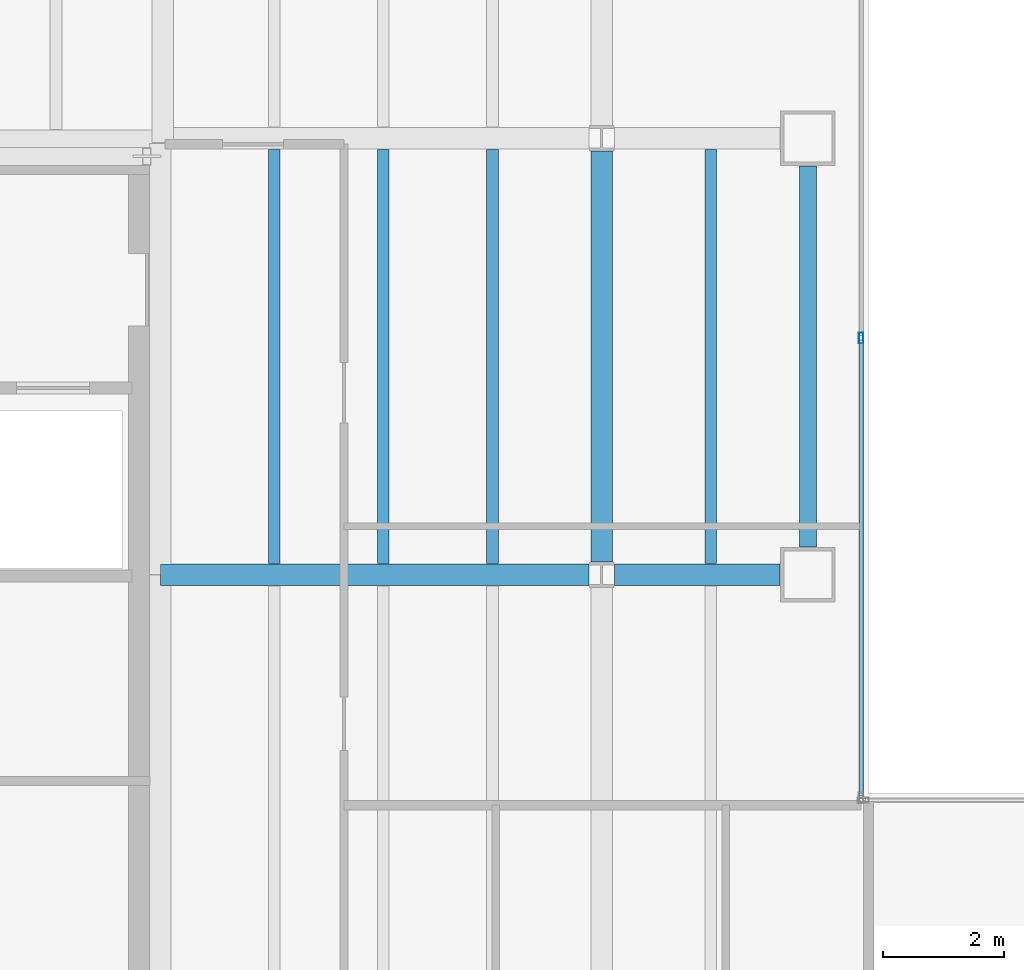
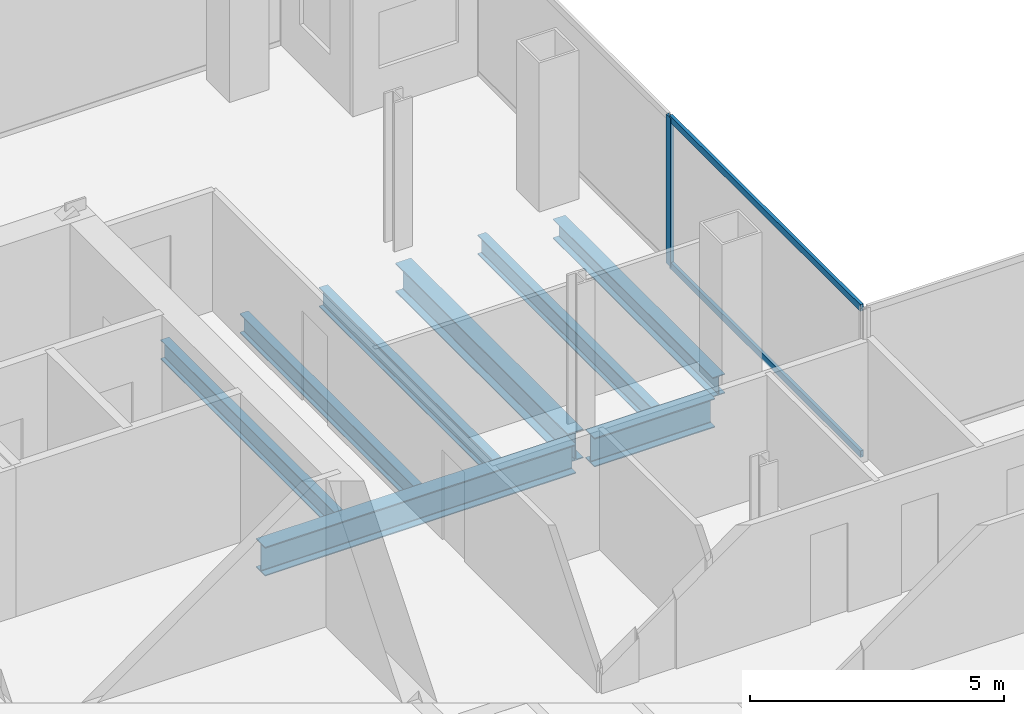
# One storey, part 8 of 24: 8 beams, 3 members, 1 element without a shape of its own.
"""IFC4 building model written with IfcOpenShell, lengths in metres."""

from ifc_helpers import new_model, si_unit, direction, frame, origin, origin_2d, place, context, subcontext, project, spatial, hollow_rectangle, i_section, extrude, material, material_profile, profile_set, type_object, element, aggregate, save


model = new_model("IFC4")

# Units and contexts
model_context = context("Model", 3, precision=1e-05, world=origin(), true_north=direction((0.0, 1.0)))
body_context = subcontext(model_context, "Body", "Model", "MODEL_VIEW")
ifc_project = project(units=[si_unit("LENGTHUNIT", "METRE"), si_unit("AREAUNIT", "SQUARE_METRE"), si_unit("VOLUMEUNIT", "CUBIC_METRE"), si_unit("PLANEANGLEUNIT", "RADIAN"), si_unit("MASSUNIT", "GRAM", prefix="KILO")], contexts=[model_context])

# Site, building, storey
site_placement = place(None, origin())
site = spatial("IfcSite", under=ifc_project, at=site_placement, CompositionType="ELEMENT")
building_placement = place(site_placement, origin())
building = spatial("IfcBuilding", under=site, at=building_placement, Name="Cobrela Telecom Tower", CompositionType="ELEMENT")
storey_placement = place(building_placement, frame((0.0, 0.0, 121.449951171875)))
storey = spatial("IfcBuildingStorey", under=building, at=storey_placement, Name="L30", CompositionType="ELEMENT", Elevation=121.449951171875)

# Beams
ifc_material_1 = material(Name="Steel ASTM A992 Grade 50", Category="steel")
ifc_material_profile_1 = material_profile(ifc_material_1, i_section(OverallWidth=0.35595703125, OverallDepth=0.696044921875, WebThickness=0.015380859375, FlangeThickness=0.024658203125, FilletRadius=0.01806640625, at=origin_2d()), Name="W27X146")
ifc_profile_set_1 = profile_set([ifc_material_profile_1], Name="Steel ASTM A992 Grade 50")
beam_type_1 = type_object("IfcBeamType", Name="BM-GIRD-05", PredefinedType="USERDEFINED", material=ifc_profile_set_1)
beam_1_placement = place(storey_placement, frame((14.324951171875, 28.800048828125, -0.617919921875), z_axis=(1.0, 0.0, 0.0), x_axis=(0.0, 1.0, 0.0)))
element("IfcBeam", 1, at=beam_1_placement, inside=storey, type_object=beam_type_1, Name="L30 Primary Girder X23", ObjectType="GIRDER", PredefinedType="USERDEFINED", context=body_context, shape_type="SweptSolid", body=[
    extrude(i_section(OverallWidth=0.35595703125, OverallDepth=0.696044921875, WebThickness=0.015380859375, FlangeThickness=0.024658203125, FilletRadius=0.01806640625, at=origin_2d()), origin(), (0.0, 0.0, 1.0), 7.0654296875),
])
beam_2_placement = place(storey_placement, frame((21.8095703125, 28.800048828125, -0.617919921875), z_axis=(1.0, 0.0, 0.0), x_axis=(0.0, 1.0, 0.0)))
element("IfcBeam", 2, at=beam_2_placement, inside=storey, type_object=beam_type_1, Name="L30 Primary Girder X24", ObjectType="GIRDER", PredefinedType="USERDEFINED", context=body_context, shape_type="SweptSolid", body=[
    extrude(i_section(OverallWidth=0.35595703125, OverallDepth=0.696044921875, WebThickness=0.015380859375, FlangeThickness=0.024658203125, FilletRadius=0.01806640625, at=origin_2d()), origin(), (0.0, 0.0, 1.0), 2.7353515625),
])
beam_3_placement = place(storey_placement, frame((21.60009765625, 29.009521484375, -0.617919921875), z_axis=(0.0, 1.0, 0.0), x_axis=(-1.0, 0.0, 0.0)))
element("IfcBeam", 3, at=beam_3_placement, inside=storey, type_object=beam_type_1, Name="L30 Primary Girder Y43", ObjectType="GIRDER", PredefinedType="USERDEFINED", context=body_context, shape_type="SweptSolid", body=[
    extrude(i_section(OverallWidth=0.35595703125, OverallDepth=0.696044921875, WebThickness=0.015380859375, FlangeThickness=0.024658203125, FilletRadius=0.01806640625, at=origin_2d()), origin(), (0.0, 0.0, 1.0), 6.781005859375),
])
ifc_material_profile_2 = material_profile(ifc_material_1, i_section(OverallWidth=0.193115234375, OverallDepth=0.467041015625, WebThickness=0.011474609375, FlangeThickness=0.01904296875, FilletRadius=0.012939453125, at=origin_2d()), Name="W18X65")
ifc_profile_set_2 = profile_set([ifc_material_profile_2], Name="Steel ASTM A992 Grade 50")
beam_type_2 = type_object("IfcBeamType", Name="BM-JOIST-03", PredefinedType="JOIST", material=ifc_profile_set_2)
for number, where, z_axis, x_axis, name in (
    (4, (16.199951171875, 28.98291015625, -0.50341796875), (0.0, 1.0, 0.0), (-1.0, 0.0, 0.0), "L30 Secondary Composite Floor Beam J07"),
    (5, (18.0, 28.98291015625, -0.50341796875), (0.0, 1.0, 0.0), (-1.0, 0.0, 0.0), "L30 Secondary Composite Floor Beam J12"),
    (6, (19.800048828125, 28.98291015625, -0.50341796875), (0.0, 1.0, 0.0), (-1.0, 0.0, 0.0), "L30 Secondary Composite Floor Beam J17"),
    (7, (23.39990234375, 28.98291015625, -0.50341796875), (0.0, 1.0, 0.0), (-1.0, 0.0, 0.0), "L30 Secondary Composite Floor Beam J22"),
):
    element("IfcBeam", number, at=place(storey_placement, frame(where, z_axis=z_axis, x_axis=x_axis)), inside=storey, type_object=beam_type_2, Name=name, PredefinedType="JOIST", context=body_context, shape_type="SweptSolid", body=[
        extrude(i_section(OverallWidth=0.193115234375, OverallDepth=0.467041015625, WebThickness=0.011474609375, FlangeThickness=0.01904296875, FilletRadius=0.012939453125, at=origin_2d()), origin(), (0.0, 0.0, 1.0), 6.833984375),
    ])
ifc_material_profile_3 = material_profile(ifc_material_1, i_section(OverallWidth=0.281982421875, OverallDepth=0.467041015625, WebThickness=0.01220703125, FlangeThickness=0.01953125, FilletRadius=0.012939453125, at=origin_2d()), Name="W18X86")
ifc_profile_set_3 = profile_set([ifc_material_profile_3], Name="Steel ASTM A992 Grade 50")
beam_type_3 = type_object("IfcBeamType", Name="BM-SPAND-04", PredefinedType="SPANDREL", material=ifc_profile_set_3)
beam_4_placement = place(storey_placement, frame((25.0, 29.2548828125, -0.50341796875), z_axis=(0.0, 1.0, 0.0), x_axis=(-1.0, 0.0, 0.0)))
element("IfcBeam", 8, at=beam_4_placement, inside=storey, type_object=beam_type_3, Name="L30 Perimeter Spandrel Y45", PredefinedType="SPANDREL", context=body_context, shape_type="SweptSolid", body=[
    extrude(i_section(OverallWidth=0.281982421875, OverallDepth=0.467041015625, WebThickness=0.01220703125, FlangeThickness=0.01953125, FilletRadius=0.012939453125, at=origin_2d()), origin(), (0.0, 0.0, 1.0), 6.2900390625),
])

# Curtain wall, members
ifc_material_2 = material(Name="Anodized Bronze Aluminium 6063-T6", Category="aluminium")
curtain_wall_type = type_object("IfcCurtainWallType", Name="CW-SYS-TEL", PredefinedType="USERDEFINED", material=ifc_material_2)
curtain_wall_placement = place(storey_placement, origin())
curtain_wall = element("IfcCurtainWall", 9, at=curtain_wall_placement, inside=storey, type_object=curtain_wall_type, Name="L30 Unitised Bronze Curtain Wall 10", ObjectType="UNITISED CURTAIN WALL", PredefinedType="USERDEFINED")
ifc_material_profile_4 = material_profile(ifc_material_2, hollow_rectangle(XDim=0.074951171875, YDim=0.179931640625, WallThickness=0.00390625, at=origin_2d()), Name="ALU 75x180x4")
ifc_profile_set_4 = profile_set([ifc_material_profile_4], Name="Anodized Bronze Aluminium 6063-T6")
member_type_1 = type_object("IfcMemberType", Name="CW-SYS-TEL-MUL", PredefinedType="MULLION", material=ifc_profile_set_4)
member_1_placement = place(storey_placement, frame((25.8798828125, 32.705078125, 0.0), z_axis=(0.0, 0.0, 1.0), x_axis=(1.0, 0.0, 0.0)))
member_1 = element("IfcMember", 10, at=member_1_placement, type_object=member_type_1, Name="CW-TEL mullion 2", PredefinedType="MULLION", context=body_context, shape_type="SweptSolid", body=[
    extrude(hollow_rectangle(XDim=0.074951171875, YDim=0.179931640625, WallThickness=0.00390625, at=origin_2d()), origin(), (0.0, 0.0, 1.0), 3.580078125),
])
ifc_material_profile_5 = material_profile(ifc_material_2, hollow_rectangle(XDim=0.070068359375, YDim=0.159912109375, WallThickness=0.00390625, at=origin_2d()), Name="ALU 70x160x4")
ifc_profile_set_5 = profile_set([ifc_material_profile_5], Name="Anodized Bronze Aluminium 6063-T6")
member_type_2 = type_object("IfcMemberType", Name="CW-SYS-TEL-TRN", PredefinedType="USERDEFINED", material=ifc_profile_set_5)
member_2_placement = place(storey_placement, frame((25.8798828125, 32.66748046875, 0.03515625), z_axis=(0.0, -1.0, 0.0), x_axis=(1.0, 0.0, 0.0)))
member_2 = element("IfcMember", 11, at=member_2_placement, type_object=member_type_2, Name="CW-TEL transom 2.1", ObjectType="TRANSOM", PredefinedType="USERDEFINED", context=body_context, shape_type="SweptSolid", body=[
    extrude(hollow_rectangle(XDim=0.070068359375, YDim=0.159912109375, WallThickness=0.00390625, at=origin_2d()), origin(), (0.0, 0.0, 1.0), 7.512451171875),
])
member_3_placement = place(storey_placement, frame((25.8798828125, 32.66748046875, 3.545166015625), z_axis=(0.0, -1.0, 0.0), x_axis=(1.0, 0.0, 0.0)))
member_3 = element("IfcMember", 12, at=member_3_placement, type_object=member_type_2, Name="CW-TEL transom 2.2", ObjectType="TRANSOM", PredefinedType="USERDEFINED", context=body_context, shape_type="SweptSolid", body=[
    extrude(hollow_rectangle(XDim=0.070068359375, YDim=0.159912109375, WallThickness=0.00390625, at=origin_2d()), origin(), (0.0, 0.0, 1.0), 7.512451171875),
])
aggregate(curtain_wall, [member_1, member_2, member_3])

save(model, "model.ifc")
